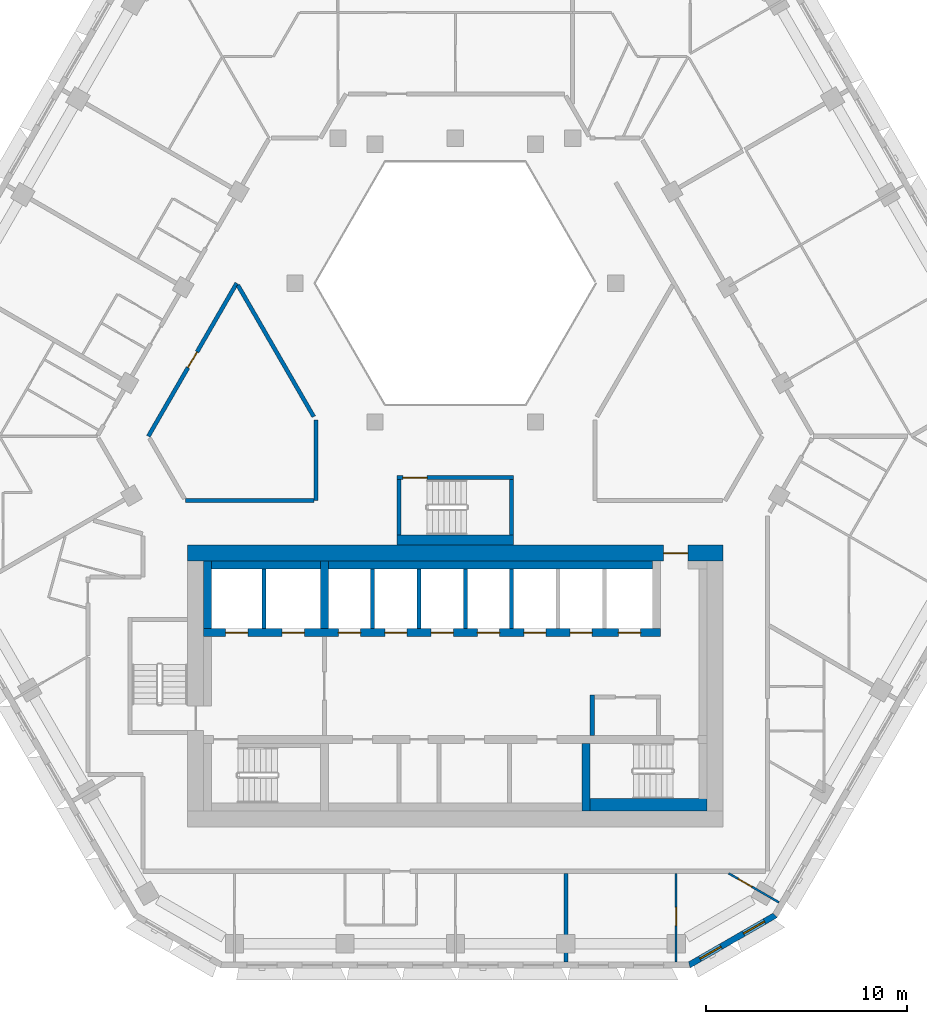
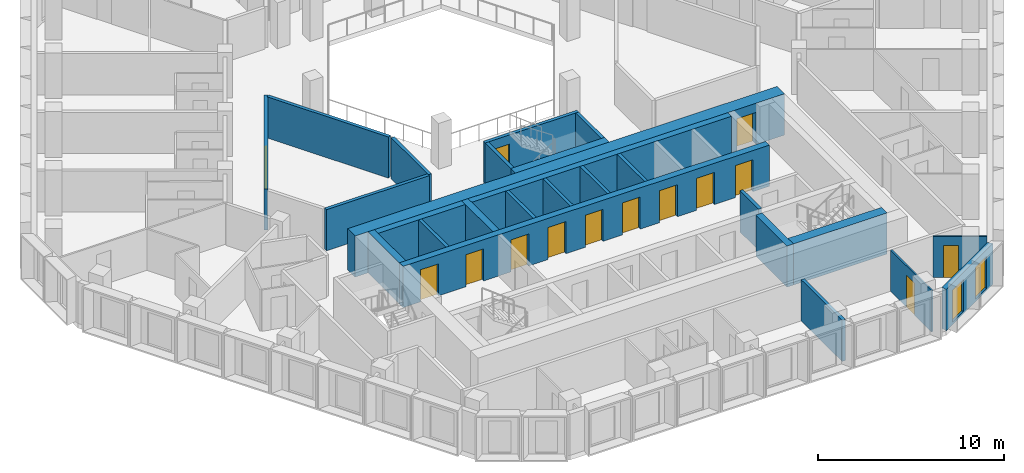
# One storey, part 5 of 17: 26 walls, 14 doors, 2 windows, 16 openings.
"""IFC4 building model written with IfcOpenShell, lengths in metres."""

from ifc_helpers import new_model, si_unit, direction, frame, frame_2d, origin, place, context, subcontext, project, spatial, polyline, rectangle, outline, extrude, material, layer, layer_set, type_object, element, fill, save


model = new_model("IFC4")

# Units and contexts
model_context = context("Model", 3, precision=1e-05, world=origin(), true_north=direction((0.0, 1.0)))
body_context = subcontext(model_context, "Body", "Model", "MODEL_VIEW")
ifc_project = project(units=[si_unit("LENGTHUNIT", "METRE"), si_unit("AREAUNIT", "SQUARE_METRE"), si_unit("VOLUMEUNIT", "CUBIC_METRE"), si_unit("PLANEANGLEUNIT", "RADIAN"), si_unit("MASSUNIT", "GRAM", prefix="KILO")], contexts=[model_context])

# Site, building, storey
site_placement = place(None, origin())
site = spatial("IfcSite", under=ifc_project, at=site_placement, CompositionType="ELEMENT")
building_placement = place(site_placement, origin())
building = spatial("IfcBuilding", under=site, at=building_placement, Name="Beryl Residences", CompositionType="ELEMENT")
storey_placement = place(building_placement, frame((0.0, 0.0, 132.60009765625)))
storey = spatial("IfcBuildingStorey", under=building, at=storey_placement, Name="L40", CompositionType="ELEMENT", Elevation=132.60009765625)

# Wall, openings, windows
ifc_material_1 = material(Name="Composite metal panel with mineral wool insulation")
ifc_layer_1 = layer(ifc_material_1, 0.300048828125)
ifc_layer_set_1 = layer_set([ifc_layer_1], Name="ES1 pale metal composite panel wall 300 mm")
wall_type_1 = type_object("IfcWallType", Name="ES1 pale metal composite panel wall 300 mm", PredefinedType="SOLIDWALL", material=ifc_layer_set_1)
wall_1_placement = place(storey_placement, frame((11.5869140625, -25.8701171875, 0.0), z_axis=(0.0, 0.0, 1.0), x_axis=(0.866022959057, 0.500004234368, 0.0)))
wall_1 = element("IfcWall", 1, at=wall_1_placement, inside=storey, type_object=wall_type_1, Name="ES1 external wall L40 S-SE", PredefinedType="SOLIDWALL", context=body_context, shape_type="SweptSolid", body=[
    extrude(outline(polyline([(0.0, -0.14990234375), (5.0, -0.14990234375), (4.919677734375, 0.14990234375), (0.080322265625, 0.14990234375), (0.0, -0.14990234375)])), origin(), (0.0, 0.0, 1.0), 2.699951171875),
])
opening_1_placement = place(wall_1_placement, frame((0.64990234375, 0.0, 0.14990234375)))
opening_1 = element("IfcOpeningElement", 2, at=opening_1_placement, cuts=wall_1, Name="Opening W2", PredefinedType="OPENING", context=body_context, shape_type="SweptSolid", body=[
    extrude(rectangle(XDim=1.199951171875, YDim=2.10009765625, at=frame_2d((0.60009765625, 1.050048828125))), frame((0.0, 0.159912109375, 0.0), z_axis=(0.0, -1.0, 0.0), x_axis=(1.0, 0.0, 0.0)), (0.0, 0.0, 1.0), 0.320068359375),
])
opening_2_placement = place(wall_1_placement, frame((3.14892578125, 0.0, 0.14990234375)))
opening_2 = element("IfcOpeningElement", 3, at=opening_2_placement, cuts=wall_1, Name="Opening W2", PredefinedType="OPENING", context=body_context, shape_type="SweptSolid", body=[
    extrude(rectangle(XDim=1.199951171875, YDim=2.10009765625, at=frame_2d((0.60009765625, 1.050048828125))), frame((0.0, 0.159912109375, 0.0), z_axis=(0.0, -1.0, 0.0), x_axis=(1.0, 0.0, 0.0)), (0.0, 0.0, 1.0), 0.320068359375),
])
ifc_material_2 = material(Name="Aluminium and clear glass", Category="aluminium")
window_type = type_object("IfcWindowType", Name="W2 chamfer window 1200 x 2100 mm", PartitioningType="SINGLE_PANEL", PredefinedType="WINDOW", material=ifc_material_2)
window_1_placement = place(opening_1_placement, origin())
window_1 = element("IfcWindow", 4, at=window_1_placement, inside=storey, type_object=window_type, Name="W2 window L40 S-SE 1", OverallHeight=2.10009765625, OverallWidth=1.199951171875, PartitioningType="SINGLE_PANEL", PredefinedType="WINDOW", context=body_context, shape_type="SweptSolid", body=[
    extrude(rectangle(XDim=1.199951171875, YDim=2.10009765625, at=frame_2d((0.60009765625, 1.050048828125))), frame((0.0, 0.030029296875, 0.0), z_axis=(0.0, -1.0, 0.0), x_axis=(1.0, 0.0, 0.0)), (0.0, 0.0, 1.0), 0.06005859375),
])
fill(opening_1, window_1)
window_2_placement = place(opening_2_placement, origin())
window_2 = element("IfcWindow", 5, at=window_2_placement, inside=storey, type_object=window_type, Name="W2 window L40 S-SE 2", OverallHeight=2.10009765625, OverallWidth=1.199951171875, PartitioningType="SINGLE_PANEL", PredefinedType="WINDOW", context=body_context, shape_type="SweptSolid", body=[
    extrude(rectangle(XDim=1.199951171875, YDim=2.10009765625, at=frame_2d((0.60009765625, 1.050048828125))), frame((0.0, 0.030029296875, 0.0), z_axis=(0.0, -1.0, 0.0), x_axis=(1.0, 0.0, 0.0)), (0.0, 0.0, 1.0), 0.06005859375),
])
fill(opening_2, window_2)

# Wall, opening, door
ifc_material_3 = material(Name="Gypsum board partition on steel studs", Category="steel")
ifc_layer_2 = layer(ifc_material_3, 0.10009765625)
ifc_layer_set_2 = layer_set([ifc_layer_2], Name="PT1 partition 100 mm gypsum board on steel studs")
wall_type_2 = type_object("IfcWallType", Name="PT1 partition 100 mm gypsum board on steel studs", PredefinedType="PARTITIONING", material=ifc_layer_set_2)
wall_2_placement = place(storey_placement, frame((13.568115234375, -21.300048828125, 0.0), z_axis=(0.0, 0.0, 1.0), x_axis=(0.865885342641, -0.500242514586, 0.0)))
wall_2 = element("IfcWall", 6, at=wall_2_placement, inside=storey, type_object=wall_type_2, Name="Wall PT1 L40 014", PredefinedType="PARTITIONING", context=body_context, shape_type="SweptSolid", body=[
    extrude(rectangle(XDim=2.8984375, YDim=0.10009765625, at=frame_2d((1.44921875, 0.0))), origin(), (0.0, 0.0, 1.0), 2.699951171875),
])
opening_3_placement = place(wall_2_placement, frame((0.550048828125, 0.0, 0.0)))
opening_3 = element("IfcOpeningElement", 7, at=opening_3_placement, cuts=wall_2, Name="Opening D1040", PredefinedType="OPENING", context=body_context, shape_type="SweptSolid", body=[
    extrude(rectangle(XDim=0.800048828125, YDim=2.10009765625, at=frame_2d((0.39990234375, 1.050048828125))), frame((0.0, 0.06005859375, 0.0), z_axis=(0.0, -1.0, 0.0), x_axis=(1.0, 0.0, 0.0)), (0.0, 0.0, 1.0), 0.1201171875),
])
ifc_material_4 = material(Name="Timber door leaf", Category="wood")
door_type_1 = type_object("IfcDoorType", Name="D13 room door 800 x 2100 mm", OperationType="SINGLE_SWING_LEFT", PredefinedType="DOOR", material=ifc_material_4)
door_1_placement = place(opening_3_placement, origin())
door_1 = element("IfcDoor", 8, at=door_1_placement, inside=storey, type_object=door_type_1, Name="Door D1040 L40 001", OperationType="SINGLE_SWING_RIGHT", OverallHeight=2.10009765625, OverallWidth=0.800048828125, PredefinedType="DOOR", context=body_context, shape_type="SweptSolid", body=[
    extrude(rectangle(XDim=0.800048828125, YDim=2.10009765625, at=frame_2d((0.39990234375, 1.050048828125))), frame((0.0, 0.02490234375, 0.0), z_axis=(0.0, -1.0, 0.0), x_axis=(1.0, 0.0, 0.0)), (0.0, 0.0, 1.0), 0.050048828125),
])
fill(opening_3, door_1)

wall_3_placement = place(storey_placement, frame((10.970947265625, -25.699951171875, 0.0), z_axis=(0.0, 0.0, 1.0), x_axis=(0.0, 1.0, 0.0)))
wall_3 = element("IfcWall", 9, at=wall_3_placement, inside=storey, type_object=wall_type_2, Name="Wall PT1 L40 040", PredefinedType="PARTITIONING", context=body_context, shape_type="SweptSolid", body=[
    extrude(rectangle(XDim=4.39990234375, YDim=0.10009765625, at=frame_2d((2.199951171875, 0.0))), origin(), (0.0, 0.0, 1.0), 2.699951171875),
])
opening_4_placement = place(wall_3_placement, frame((1.800048828125, 0.0, 0.0)))
opening_4 = element("IfcOpeningElement", 10, at=opening_4_placement, cuts=wall_3, Name="Opening D1041", PredefinedType="OPENING", context=body_context, shape_type="SweptSolid", body=[
    extrude(rectangle(XDim=0.89990234375, YDim=2.10009765625, at=frame_2d((0.449951171875, 1.050048828125))), frame((0.0, 0.06005859375, 0.0), z_axis=(0.0, -1.0, 0.0), x_axis=(1.0, 0.0, 0.0)), (0.0, 0.0, 1.0), 0.1201171875),
])
ifc_material_5 = material(Name="Timber door leaf", Category="wood")
door_type_2 = type_object("IfcDoorType", Name="D2 room door 900 x 2100 mm", OperationType="SINGLE_SWING_LEFT", PredefinedType="DOOR", material=ifc_material_5)
door_2_placement = place(opening_4_placement, origin())
door_2 = element("IfcDoor", 11, at=door_2_placement, inside=storey, type_object=door_type_2, Name="Door D1041 L40 001", OperationType="SINGLE_SWING_LEFT", OverallHeight=2.10009765625, OverallWidth=0.89990234375, PredefinedType="DOOR", context=body_context, shape_type="SweptSolid", body=[
    extrude(rectangle(XDim=0.89990234375, YDim=2.10009765625, at=frame_2d((0.449951171875, 1.050048828125))), frame((0.0, 0.02490234375, 0.0), z_axis=(0.0, -1.0, 0.0), x_axis=(1.0, 0.0, 0.0)), (0.0, 0.0, 1.0), 0.050048828125),
])
fill(opening_4, door_2)

# Walls
ifc_material_6 = material(Name="Concrete masonry", Category="masonry")
ifc_layer_3 = layer(ifc_material_6, 0.199951171875)
ifc_layer_set_3 = layer_set([ifc_layer_3], Name="PT13 lobby wall 200 mm")
wall_type_3 = type_object("IfcWallType", Name="PT13 lobby wall 200 mm", PredefinedType="PARTITIONING", material=ifc_layer_set_3)
wall_4_placement = place(storey_placement, frame((6.800048828125, -14.449951171875, 0.0), z_axis=(0.0, 0.0, 1.0), x_axis=(0.0, 1.0, 0.0)))
element("IfcWall", 12, at=wall_4_placement, inside=storey, type_object=wall_type_3, Name="Lobby wall 23", PredefinedType="PARTITIONING", context=body_context, shape_type="SweptSolid", body=[
    extrude(rectangle(XDim=2.0, YDim=0.199951171875, at=frame_2d((1.0, 0.0))), origin(), (0.0, 0.0, 1.0), 2.699951171875),
])
ifc_material_7 = material(Name="Acoustic double stud gypsum board wall")
ifc_layer_4 = layer(ifc_material_7, 0.199951171875)
ifc_layer_set_4 = layer_set([ifc_layer_4], Name="PT3 party wall 200 mm acoustic double stud")
wall_type_4 = type_object("IfcWallType", Name="PT3 party wall 200 mm acoustic double stud", PredefinedType="PARTITIONING", material=ifc_layer_set_4)
wall_5_placement = place(storey_placement, frame((5.486083984375, -25.699951171875, 0.0), z_axis=(0.0, 0.0, 1.0), x_axis=(0.0, 1.0, 0.0)))
element("IfcWall", 13, at=wall_5_placement, inside=storey, type_object=wall_type_4, Name="Wall PT3 L40 007", PredefinedType="PARTITIONING", context=body_context, shape_type="SweptSolid", body=[
    extrude(rectangle(XDim=4.39990234375, YDim=0.199951171875, at=frame_2d((2.199951171875, 0.0))), origin(), (0.0, 0.0, 1.0), 2.699951171875),
])
ifc_material_8 = material(Name="Double stud gypsum board wall")
ifc_layer_5 = layer(ifc_material_8, 0.199951171875)
ifc_layer_set_5 = layer_set([ifc_layer_5], Name="PT4 corridor wall 200 mm double stud")
wall_type_5 = type_object("IfcWallType", Name="PT4 corridor wall 200 mm double stud", PredefinedType="PARTITIONING", material=ifc_layer_set_5)
wall_6_placement = place(storey_placement, frame((-10.7958984375, 7.89990234375, 0.0), z_axis=(0.0, 0.0, 1.0), x_axis=(0.499954271211, -0.866051803703, 0.0)))
element("IfcWall", 14, at=wall_6_placement, inside=storey, type_object=wall_type_5, Name="Wall PT4 L40 001", PredefinedType="PARTITIONING", context=body_context, shape_type="SweptSolid", body=[
    extrude(rectangle(XDim=7.536376953125, YDim=0.199951171875, at=frame_2d((3.76806640625, 0.0))), origin(), (0.0, 0.0, 1.0), 2.699951171875),
])
wall_7_placement = place(storey_placement, frame((-13.39501953125, -2.800048828125, 0.0), z_axis=(0.0, 0.0, 1.0), x_axis=(1.0, 0.0, 0.0)))
element("IfcWall", 15, at=wall_7_placement, inside=storey, type_object=wall_type_5, Name="Wall PT4 L40 012", PredefinedType="PARTITIONING", context=body_context, shape_type="SweptSolid", body=[
    extrude(rectangle(XDim=6.366943359375, YDim=0.199951171875, at=frame_2d((3.18359375, 0.0))), origin(), (0.0, 0.0, 1.0), 2.699951171875),
])

# Wall, opening, door
wall_8_placement = place(storey_placement, frame((-15.241943359375, 0.39892578125, 0.0), z_axis=(0.0, 0.0, 1.0), x_axis=(0.499953615651, 0.866052182145, 0.0)))
wall_8 = element("IfcWall", 16, at=wall_8_placement, inside=storey, type_object=wall_type_5, Name="Wall PT4 L40 020", PredefinedType="PARTITIONING", context=body_context, shape_type="SweptSolid", body=[
    extrude(rectangle(XDim=8.776611328125, YDim=0.199951171875, at=frame_2d((4.38818359375, 0.0))), origin(), (0.0, 0.0, 1.0), 2.699951171875),
])
opening_5_placement = place(wall_8_placement, frame((3.93798828125, 0.0, 0.0)))
opening_5 = element("IfcOpeningElement", 17, at=opening_5_placement, cuts=wall_8, Name="Opening D1055", PredefinedType="OPENING", context=body_context, shape_type="SweptSolid", body=[
    extrude(rectangle(XDim=0.89990234375, YDim=2.10009765625, at=frame_2d((0.449951171875, 1.050048828125))), frame((0.0, 0.10986328125, 0.0), z_axis=(0.0, -1.0, 0.0), x_axis=(1.0, 0.0, 0.0)), (0.0, 0.0, 1.0), 0.219970703125),
])
door_3_placement = place(opening_5_placement, origin())
door_3 = element("IfcDoor", 18, at=door_3_placement, inside=storey, type_object=door_type_2, Name="Door D1055 L40 001", OperationType="SINGLE_SWING_LEFT", OverallHeight=2.10009765625, OverallWidth=0.89990234375, PredefinedType="DOOR", context=body_context, shape_type="SweptSolid", body=[
    extrude(rectangle(XDim=0.89990234375, YDim=2.10009765625, at=frame_2d((0.449951171875, 1.050048828125))), frame((0.0, 0.02490234375, 0.0), z_axis=(0.0, -1.0, 0.0), x_axis=(1.0, 0.0, 0.0)), (0.0, 0.0, 1.0), 0.050048828125),
])
fill(opening_5, door_3)

# Wall
wall_9_placement = place(storey_placement, frame((-6.927978515625, -2.800048828125, 0.0), z_axis=(0.0, 0.0, 1.0), x_axis=(0.0, 1.0, 0.0)))
element("IfcWall", 19, at=wall_9_placement, inside=storey, type_object=wall_type_5, Name="Wall PT4 L40 025", PredefinedType="PARTITIONING", context=body_context, shape_type="SweptSolid", body=[
    extrude(rectangle(XDim=4.0, YDim=0.199951171875, at=frame_2d((2.0, 0.0))), origin(), (0.0, 0.0, 1.0), 2.699951171875),
])

# Wall, opening, door
ifc_material_9 = material(Name="Concrete C40/50", Category="concrete")
ifc_layer_6 = layer(ifc_material_9, 0.199951171875)
ifc_layer_set_6 = layer_set([ifc_layer_6], Name="PT5 stair enclosure wall 200 mm reinforced concrete C40/50")
wall_type_6 = type_object("IfcWallType", Name="PT5 stair enclosure wall 200 mm reinforced concrete C40/50", PredefinedType="SOLIDWALL", material=ifc_layer_set_6)
wall_10_placement = place(storey_placement, frame((-2.89990234375, -1.64990234375, 0.0), z_axis=(0.0, 0.0, 1.0), x_axis=(1.0, 0.0, 0.0)))
wall_10 = element("IfcWall", 20, at=wall_10_placement, inside=storey, type_object=wall_type_6, Name="Wall PT5 L40 001", PredefinedType="SOLIDWALL", context=body_context, shape_type="SweptSolid", body=[
    extrude(rectangle(XDim=5.7998046875, YDim=0.199951171875, at=frame_2d((2.89990234375, 0.0))), origin(), (0.0, 0.0, 1.0), 2.699951171875),
])
opening_6_placement = place(wall_10_placement, frame((0.300048828125, 0.0, 0.0)))
opening_6 = element("IfcOpeningElement", 21, at=opening_6_placement, cuts=wall_10, Name="Opening DS04", PredefinedType="OPENING", context=body_context, shape_type="SweptSolid", body=[
    extrude(rectangle(XDim=1.199951171875, YDim=2.10009765625, at=frame_2d((0.60009765625, 1.050048828125))), frame((0.0, 0.10986328125, 0.0), z_axis=(0.0, -1.0, 0.0), x_axis=(1.0, 0.0, 0.0)), (0.0, 0.0, 1.0), 0.219970703125),
])
ifc_material_10 = material(Name="Steel door leaf in steel frame", Category="steel")
door_type_3 = type_object("IfcDoorType", Name="D4 stair door 1200 x 2100 mm", OperationType="SINGLE_SWING_LEFT", PredefinedType="DOOR", material=ifc_material_10)
door_4_placement = place(opening_6_placement, origin())
door_4 = element("IfcDoor", 22, at=door_4_placement, inside=storey, type_object=door_type_3, Name="Door DS04 L40 001", OperationType="SINGLE_SWING_LEFT", OverallHeight=2.10009765625, OverallWidth=1.199951171875, PredefinedType="DOOR", context=body_context, shape_type="SweptSolid", body=[
    extrude(rectangle(XDim=1.199951171875, YDim=2.10009765625, at=frame_2d((0.60009765625, 1.050048828125))), frame((0.0, 0.02490234375, 0.0), z_axis=(0.0, -1.0, 0.0), x_axis=(1.0, 0.0, 0.0)), (0.0, 0.0, 1.0), 0.050048828125),
])
fill(opening_6, door_4)

# Walls
for number, where, z_axis, x_axis, name in (
    (23, (-2.800048828125, -4.5, 0.0), (0.0, 0.0, 1.0), (0.0, 1.0, 0.0), "Wall PT5 L40 002"),
    (24, (2.800048828125, -4.5, 0.0), (0.0, 0.0, 1.0), (0.0, 1.0, 0.0), "Wall PT5 L40 003"),
):
    element("IfcWall", number, at=place(storey_placement, frame(where, z_axis=z_axis, x_axis=x_axis)), inside=storey, type_object=wall_type_6, Name=name, PredefinedType="SOLIDWALL", context=body_context, shape_type="SweptSolid", body=[
        extrude(rectangle(XDim=2.75, YDim=0.199951171875, at=frame_2d((1.375, 0.0))), origin(), (0.0, 0.0, 1.0), 2.699951171875),
    ])
ifc_material_11 = material(Name="Concrete C40/50", Category="concrete")
ifc_layer_7 = layer(ifc_material_11, 0.5)
ifc_layer_set_7 = layer_set([ifc_layer_7], Name="PT5-500 stair enclosure wall 500 mm")
wall_type_7 = type_object("IfcWallType", Name="PT5-500 stair enclosure wall 500 mm", PredefinedType="SOLIDWALL", material=ifc_layer_set_7)
wall_11_placement = place(storey_placement, frame((-2.89990234375, -4.75, 0.0), z_axis=(0.0, 0.0, 1.0), x_axis=(1.0, 0.0, 0.0)))
element("IfcWall", 25, at=wall_11_placement, inside=storey, type_object=wall_type_7, Name="Wall PT5-500 L40 001", PredefinedType="SOLIDWALL", context=body_context, shape_type="SweptSolid", body=[
    extrude(rectangle(XDim=5.7998046875, YDim=0.5, at=frame_2d((2.89990234375, 0.0))), origin(), (0.0, 0.0, 1.0), 2.699951171875),
])
ifc_material_12 = material(Name="Concrete C40/50", Category="concrete")
ifc_layer_8 = layer(ifc_material_12, 0.60009765625)
ifc_layer_set_8 = layer_set([ifc_layer_8], Name="PT5-600 stair enclosure wall 600 mm")
wall_type_8 = type_object("IfcWallType", Name="PT5-600 stair enclosure wall 600 mm", PredefinedType="SOLIDWALL", material=ifc_layer_set_8)
wall_12_placement = place(storey_placement, frame((6.699951171875, -17.89990234375, 0.0), z_axis=(0.0, 0.0, 1.0), x_axis=(1.0, 0.0, 0.0)))
element("IfcWall", 26, at=wall_12_placement, inside=storey, type_object=wall_type_8, Name="Stair wall 22", PredefinedType="SOLIDWALL", context=body_context, shape_type="SweptSolid", body=[
    extrude(rectangle(XDim=5.800048828125, YDim=0.60009765625, at=frame_2d((2.89990234375, 0.0))), origin(), (0.0, 0.0, 1.0), 2.699951171875),
])
ifc_material_13 = material(Name="Concrete C40/50", Category="concrete")
ifc_layer_9 = layer(ifc_material_13, 0.199951171875)
ifc_layer_set_9 = layer_set([ifc_layer_9], Name="PT6 lift shaft wall 200 mm reinforced concrete C40/50")
wall_type_9 = type_object("IfcWallType", Name="PT6 lift shaft wall 200 mm reinforced concrete C40/50", PredefinedType="SOLIDWALL", material=ifc_layer_set_9)
for number, where, z_axis, x_axis, name in (
    (27, (-9.5, -9.14990234375, 0.0), (0.0, 0.0, 1.0), (0.0, 1.0, 0.0), "Lift shaft wall 10"),
    (28, (-4.10009765625, -9.14990234375, 0.0), (0.0, 0.0, 1.0), (0.0, 1.0, 0.0), "Lift shaft wall 14"),
    (29, (-1.800048828125, -9.14990234375, 0.0), (0.0, 0.0, 1.0), (0.0, 1.0, 0.0), "Lift shaft wall 16"),
    (30, (0.5, -9.14990234375, 0.0), (0.0, 0.0, 1.0), (0.0, 1.0, 0.0), "Lift shaft wall 18"),
    (31, (2.800048828125, -9.14990234375, 0.0), (0.0, 0.0, 1.0), (0.0, 1.0, 0.0), "Lift shaft wall 20"),
):
    element("IfcWall", number, at=place(storey_placement, frame(where, z_axis=z_axis, x_axis=x_axis)), inside=storey, type_object=wall_type_9, Name=name, PredefinedType="SOLIDWALL", context=body_context, shape_type="SweptSolid", body=[
        extrude(rectangle(XDim=2.949951171875, YDim=0.199951171875, at=frame_2d((1.47509765625, 0.0))), origin(), (0.0, 0.0, 1.0), 2.699951171875),
    ])
ifc_material_14 = material(Name="Concrete C40/50", Category="concrete")
ifc_layer_10 = layer(ifc_material_14, 0.39990234375)
ifc_layer_set_10 = layer_set([ifc_layer_10], Name="PT6-400 lift shaft wall 400 mm")
wall_type_10 = type_object("IfcWallType", Name="PT6-400 lift shaft wall 400 mm", PredefinedType="SOLIDWALL", material=ifc_layer_set_10)
wall_13_placement = place(storey_placement, frame((-12.300048828125, -9.14990234375, 0.0), z_axis=(0.0, 0.0, 1.0), x_axis=(0.0, 1.0, 0.0)))
element("IfcWall", 32, at=wall_13_placement, inside=storey, type_object=wall_type_10, Name="Lift shaft wall 06", PredefinedType="SOLIDWALL", context=body_context, shape_type="SweptSolid", body=[
    extrude(rectangle(XDim=3.349853515625, YDim=0.39990234375, at=frame_2d((1.6748046875, 0.0))), origin(), (0.0, 0.0, 1.0), 2.699951171875),
])
wall_14_placement = place(storey_placement, frame((-12.10009765625, -6.0, 0.0), z_axis=(0.0, 0.0, 1.0), x_axis=(1.0, 0.0, 0.0)))
element("IfcWall", 33, at=wall_14_placement, inside=storey, type_object=wall_type_10, Name="Lift shaft wall 08", PredefinedType="SOLIDWALL", context=body_context, shape_type="SweptSolid", body=[
    extrude(rectangle(XDim=5.400146484375, YDim=0.39990234375, at=frame_2d((2.7001953125, 0.0))), origin(), (0.0, 0.0, 1.0), 2.699951171875),
])
wall_15_placement = place(storey_placement, frame((-6.300048828125, -6.0, 0.0), z_axis=(0.0, 0.0, 1.0), x_axis=(1.0, 0.0, 0.0)))
element("IfcWall", 34, at=wall_15_placement, inside=storey, type_object=wall_type_10, Name="Lift shaft wall 13", PredefinedType="SOLIDWALL", context=body_context, shape_type="SweptSolid", body=[
    extrude(rectangle(XDim=16.10009765625, YDim=0.39990234375, at=frame_2d((8.050048828125, 0.0))), origin(), (0.0, 0.0, 1.0), 2.699951171875),
])

# Wall, opening, door
ifc_material_15 = material(Name="Concrete C60/75", Category="concrete")
ifc_layer_11 = layer(ifc_material_15, 0.800048828125)
ifc_layer_set_11 = layer_set([ifc_layer_11], Name="SW3 core outer wall 800 mm C60/75")
wall_type_11 = type_object("IfcWallType", Name="SW3 core outer wall 800 mm C60/75", PredefinedType="SHEAR", material=ifc_layer_set_11)
wall_16_placement = place(storey_placement, frame((-13.300048828125, -5.39990234375, 0.0), z_axis=(0.0, 0.0, 1.0), x_axis=(1.0, 0.0, 0.0)))
wall_16 = element("IfcWall", 35, at=wall_16_placement, inside=storey, type_object=wall_type_11, Name="Core wall N L40", PredefinedType="SHEAR", context=body_context, shape_type="SweptSolid", body=[
    extrude(rectangle(XDim=26.60009765625, YDim=0.800048828125, at=frame_2d((13.300048828125, 0.0))), origin(), (0.0, 0.0, 1.0), 2.699951171875),
])
opening_7_placement = place(wall_16_placement, frame((23.64990234375, 0.0, 0.0)))
opening_7 = element("IfcOpeningElement", 36, at=opening_7_placement, cuts=wall_16, Name="Opening FD-NORTH", PredefinedType="OPENING", context=body_context, shape_type="SweptSolid", body=[
    extrude(rectangle(XDim=1.199951171875, YDim=2.10009765625, at=frame_2d((0.60009765625, 1.050048828125))), frame((0.0, 0.409912109375, 0.0), z_axis=(0.0, -1.0, 0.0), x_axis=(1.0, 0.0, 0.0)), (0.0, 0.0, 1.0), 0.820068359375),
])
ifc_material_16 = material(Name="Steel door leaf in steel frame", Category="steel")
door_type_4 = type_object("IfcDoorType", Name="D22 lobby door 1200 x 2100 mm", OperationType="DOUBLE_DOOR_SINGLE_SWING", PredefinedType="DOOR", material=ifc_material_16)
door_5_placement = place(opening_7_placement, origin())
door_5 = element("IfcDoor", 37, at=door_5_placement, inside=storey, type_object=door_type_4, Name="Door FD-NORTH L40 001", OperationType="DOUBLE_DOOR_SINGLE_SWING", OverallHeight=2.10009765625, OverallWidth=1.199951171875, PredefinedType="DOOR", context=body_context, shape_type="SweptSolid", body=[
    extrude(rectangle(XDim=1.199951171875, YDim=2.10009765625, at=frame_2d((0.60009765625, 1.050048828125))), frame((0.0, 0.02490234375, 0.0), z_axis=(0.0, -1.0, 0.0), x_axis=(1.0, 0.0, 0.0)), (0.0, 0.0, 1.0), 0.050048828125),
])
fill(opening_7, door_5)

# Wall, openings, doors
ifc_material_17 = material(Name="Concrete C60/75", Category="concrete")
ifc_layer_12 = layer(ifc_material_17, 0.39990234375)
ifc_layer_set_12 = layer_set([ifc_layer_12], Name="SW8 core internal wall 400 mm C60/75")
wall_type_12 = type_object("IfcWallType", Name="SW8 core internal wall 400 mm C60/75", PredefinedType="SHEAR", material=ifc_layer_set_12)
wall_17_placement = place(storey_placement, frame((-12.5, -9.35009765625, 0.0), z_axis=(0.0, 0.0, 1.0), x_axis=(1.0, 0.0, 0.0)))
wall_17 = element("IfcWall", 38, at=wall_17_placement, inside=storey, type_object=wall_type_12, Name="Core wall SP2 L40", PredefinedType="SHEAR", context=body_context, shape_type="SweptSolid", body=[
    extrude(rectangle(XDim=22.699951171875, YDim=0.39990234375, at=frame_2d((11.35009765625, 0.0))), origin(), (0.0, 0.0, 1.0), 2.699951171875),
])
opening_8_placement = place(wall_17_placement, frame((1.10009765625, 0.0, 0.0)))
opening_8 = element("IfcOpeningElement", 39, at=opening_8_placement, cuts=wall_17, Name="Opening LD-FF1", PredefinedType="OPENING", context=body_context, shape_type="SweptSolid", body=[
    extrude(rectangle(XDim=1.10009765625, YDim=2.10009765625, at=frame_2d((0.550048828125, 1.050048828125))), frame((0.0, 0.2099609375, 0.0), z_axis=(0.0, -1.0, 0.0), x_axis=(1.0, 0.0, 0.0)), (0.0, 0.0, 1.0), 0.419921875),
])
opening_9_placement = place(wall_17_placement, frame((3.89990234375, 0.0, 0.0)))
opening_9 = element("IfcOpeningElement", 40, at=opening_9_placement, cuts=wall_17, Name="Opening LD-FF2", PredefinedType="OPENING", context=body_context, shape_type="SweptSolid", body=[
    extrude(rectangle(XDim=1.10009765625, YDim=2.10009765625, at=frame_2d((0.550048828125, 1.050048828125))), frame((0.0, 0.2099609375, 0.0), z_axis=(0.0, -1.0, 0.0), x_axis=(1.0, 0.0, 0.0)), (0.0, 0.0, 1.0), 0.419921875),
])
opening_10_placement = place(wall_17_placement, frame((6.699951171875, 0.0, 0.0)))
opening_10 = element("IfcOpeningElement", 41, at=opening_10_placement, cuts=wall_17, Name="Opening LD-HR1", PredefinedType="OPENING", context=body_context, shape_type="SweptSolid", body=[
    extrude(rectangle(XDim=1.10009765625, YDim=2.10009765625, at=frame_2d((0.550048828125, 1.050048828125))), frame((0.0, 0.2099609375, 0.0), z_axis=(0.0, -1.0, 0.0), x_axis=(1.0, 0.0, 0.0)), (0.0, 0.0, 1.0), 0.419921875),
])
opening_11_placement = place(wall_17_placement, frame((9.0, 0.0, 0.0)))
opening_11 = element("IfcOpeningElement", 42, at=opening_11_placement, cuts=wall_17, Name="Opening LD-HR2", PredefinedType="OPENING", context=body_context, shape_type="SweptSolid", body=[
    extrude(rectangle(XDim=1.10009765625, YDim=2.10009765625, at=frame_2d((0.550048828125, 1.050048828125))), frame((0.0, 0.2099609375, 0.0), z_axis=(0.0, -1.0, 0.0), x_axis=(1.0, 0.0, 0.0)), (0.0, 0.0, 1.0), 0.419921875),
])
opening_12_placement = place(wall_17_placement, frame((11.300048828125, 0.0, 0.0)))
opening_12 = element("IfcOpeningElement", 43, at=opening_12_placement, cuts=wall_17, Name="Opening LD-HR3", PredefinedType="OPENING", context=body_context, shape_type="SweptSolid", body=[
    extrude(rectangle(XDim=1.10009765625, YDim=2.10009765625, at=frame_2d((0.550048828125, 1.050048828125))), frame((0.0, 0.2099609375, 0.0), z_axis=(0.0, -1.0, 0.0), x_axis=(1.0, 0.0, 0.0)), (0.0, 0.0, 1.0), 0.419921875),
])
opening_13_placement = place(wall_17_placement, frame((13.60009765625, 0.0, 0.0)))
opening_13 = element("IfcOpeningElement", 44, at=opening_13_placement, cuts=wall_17, Name="Opening LD-HR4", PredefinedType="OPENING", context=body_context, shape_type="SweptSolid", body=[
    extrude(rectangle(XDim=1.10009765625, YDim=2.10009765625, at=frame_2d((0.550048828125, 1.050048828125))), frame((0.0, 0.2099609375, 0.0), z_axis=(0.0, -1.0, 0.0), x_axis=(1.0, 0.0, 0.0)), (0.0, 0.0, 1.0), 0.419921875),
])
opening_14_placement = place(wall_17_placement, frame((15.89990234375, 0.0, 0.0)))
opening_14 = element("IfcOpeningElement", 45, at=opening_14_placement, cuts=wall_17, Name="Opening LD-HR5", PredefinedType="OPENING", context=body_context, shape_type="SweptSolid", body=[
    extrude(rectangle(XDim=1.10009765625, YDim=2.10009765625, at=frame_2d((0.550048828125, 1.050048828125))), frame((0.0, 0.2099609375, 0.0), z_axis=(0.0, -1.0, 0.0), x_axis=(1.0, 0.0, 0.0)), (0.0, 0.0, 1.0), 0.419921875),
])
opening_15_placement = place(wall_17_placement, frame((18.199951171875, 0.0, 0.0)))
opening_15 = element("IfcOpeningElement", 46, at=opening_15_placement, cuts=wall_17, Name="Opening LD-HR6", PredefinedType="OPENING", context=body_context, shape_type="SweptSolid", body=[
    extrude(rectangle(XDim=1.10009765625, YDim=2.10009765625, at=frame_2d((0.550048828125, 1.050048828125))), frame((0.0, 0.2099609375, 0.0), z_axis=(0.0, -1.0, 0.0), x_axis=(1.0, 0.0, 0.0)), (0.0, 0.0, 1.0), 0.419921875),
])
opening_16_placement = place(wall_17_placement, frame((20.60009765625, 0.0, 0.0)))
opening_16 = element("IfcOpeningElement", 47, at=opening_16_placement, cuts=wall_17, Name="Opening LD-SL1", PredefinedType="OPENING", context=body_context, shape_type="SweptSolid", body=[
    extrude(rectangle(XDim=1.10009765625, YDim=2.10009765625, at=frame_2d((0.550048828125, 1.050048828125))), frame((0.0, 0.2099609375, 0.0), z_axis=(0.0, -1.0, 0.0), x_axis=(1.0, 0.0, 0.0)), (0.0, 0.0, 1.0), 0.419921875),
])
ifc_material_18 = material(Name="Stainless steel sliding door", Category="steel")
door_type_5 = type_object("IfcDoorType", Name="LD1 lift landing door 1100 x 2100 mm", OperationType="DOUBLE_DOOR_SLIDING", PredefinedType="DOOR", material=ifc_material_18)
door_6_placement = place(opening_8_placement, origin())
door_6 = element("IfcDoor", 48, at=door_6_placement, inside=storey, type_object=door_type_5, Name="Lift landing door FF1", OperationType="DOUBLE_DOOR_SLIDING", OverallHeight=2.10009765625, OverallWidth=1.10009765625, PredefinedType="DOOR", context=body_context, shape_type="SweptSolid", body=[
    extrude(rectangle(XDim=1.10009765625, YDim=2.10009765625, at=frame_2d((0.550048828125, 1.050048828125))), frame((0.0, 0.02490234375, 0.0), z_axis=(0.0, -1.0, 0.0), x_axis=(1.0, 0.0, 0.0)), (0.0, 0.0, 1.0), 0.050048828125),
])
fill(opening_8, door_6)
door_7_placement = place(opening_9_placement, origin())
door_7 = element("IfcDoor", 49, at=door_7_placement, inside=storey, type_object=door_type_5, Name="Lift landing door FF2", OperationType="DOUBLE_DOOR_SLIDING", OverallHeight=2.10009765625, OverallWidth=1.10009765625, PredefinedType="DOOR", context=body_context, shape_type="SweptSolid", body=[
    extrude(rectangle(XDim=1.10009765625, YDim=2.10009765625, at=frame_2d((0.550048828125, 1.050048828125))), frame((0.0, 0.02490234375, 0.0), z_axis=(0.0, -1.0, 0.0), x_axis=(1.0, 0.0, 0.0)), (0.0, 0.0, 1.0), 0.050048828125),
])
fill(opening_9, door_7)
door_8_placement = place(opening_10_placement, origin())
door_8 = element("IfcDoor", 50, at=door_8_placement, inside=storey, type_object=door_type_5, Name="Lift landing door HR1", OperationType="DOUBLE_DOOR_SLIDING", OverallHeight=2.10009765625, OverallWidth=1.10009765625, PredefinedType="DOOR", context=body_context, shape_type="SweptSolid", body=[
    extrude(rectangle(XDim=1.10009765625, YDim=2.10009765625, at=frame_2d((0.550048828125, 1.050048828125))), frame((0.0, 0.02490234375, 0.0), z_axis=(0.0, -1.0, 0.0), x_axis=(1.0, 0.0, 0.0)), (0.0, 0.0, 1.0), 0.050048828125),
])
fill(opening_10, door_8)
door_9_placement = place(opening_11_placement, origin())
door_9 = element("IfcDoor", 51, at=door_9_placement, inside=storey, type_object=door_type_5, Name="Lift landing door HR2", OperationType="DOUBLE_DOOR_SLIDING", OverallHeight=2.10009765625, OverallWidth=1.10009765625, PredefinedType="DOOR", context=body_context, shape_type="SweptSolid", body=[
    extrude(rectangle(XDim=1.10009765625, YDim=2.10009765625, at=frame_2d((0.550048828125, 1.050048828125))), frame((0.0, 0.02490234375, 0.0), z_axis=(0.0, -1.0, 0.0), x_axis=(1.0, 0.0, 0.0)), (0.0, 0.0, 1.0), 0.050048828125),
])
fill(opening_11, door_9)
door_10_placement = place(opening_12_placement, origin())
door_10 = element("IfcDoor", 52, at=door_10_placement, inside=storey, type_object=door_type_5, Name="Lift landing door HR3", OperationType="DOUBLE_DOOR_SLIDING", OverallHeight=2.10009765625, OverallWidth=1.10009765625, PredefinedType="DOOR", context=body_context, shape_type="SweptSolid", body=[
    extrude(rectangle(XDim=1.10009765625, YDim=2.10009765625, at=frame_2d((0.550048828125, 1.050048828125))), frame((0.0, 0.02490234375, 0.0), z_axis=(0.0, -1.0, 0.0), x_axis=(1.0, 0.0, 0.0)), (0.0, 0.0, 1.0), 0.050048828125),
])
fill(opening_12, door_10)
door_11_placement = place(opening_13_placement, origin())
door_11 = element("IfcDoor", 53, at=door_11_placement, inside=storey, type_object=door_type_5, Name="Lift landing door HR4", OperationType="DOUBLE_DOOR_SLIDING", OverallHeight=2.10009765625, OverallWidth=1.10009765625, PredefinedType="DOOR", context=body_context, shape_type="SweptSolid", body=[
    extrude(rectangle(XDim=1.10009765625, YDim=2.10009765625, at=frame_2d((0.550048828125, 1.050048828125))), frame((0.0, 0.02490234375, 0.0), z_axis=(0.0, -1.0, 0.0), x_axis=(1.0, 0.0, 0.0)), (0.0, 0.0, 1.0), 0.050048828125),
])
fill(opening_13, door_11)
door_12_placement = place(opening_14_placement, origin())
door_12 = element("IfcDoor", 54, at=door_12_placement, inside=storey, type_object=door_type_5, Name="Lift landing door HR5", OperationType="DOUBLE_DOOR_SLIDING", OverallHeight=2.10009765625, OverallWidth=1.10009765625, PredefinedType="DOOR", context=body_context, shape_type="SweptSolid", body=[
    extrude(rectangle(XDim=1.10009765625, YDim=2.10009765625, at=frame_2d((0.550048828125, 1.050048828125))), frame((0.0, 0.02490234375, 0.0), z_axis=(0.0, -1.0, 0.0), x_axis=(1.0, 0.0, 0.0)), (0.0, 0.0, 1.0), 0.050048828125),
])
fill(opening_14, door_12)
door_13_placement = place(opening_15_placement, origin())
door_13 = element("IfcDoor", 55, at=door_13_placement, inside=storey, type_object=door_type_5, Name="Lift landing door HR6", OperationType="DOUBLE_DOOR_SLIDING", OverallHeight=2.10009765625, OverallWidth=1.10009765625, PredefinedType="DOOR", context=body_context, shape_type="SweptSolid", body=[
    extrude(rectangle(XDim=1.10009765625, YDim=2.10009765625, at=frame_2d((0.550048828125, 1.050048828125))), frame((0.0, 0.02490234375, 0.0), z_axis=(0.0, -1.0, 0.0), x_axis=(1.0, 0.0, 0.0)), (0.0, 0.0, 1.0), 0.050048828125),
])
fill(opening_15, door_13)
door_14_placement = place(opening_16_placement, origin())
door_14 = element("IfcDoor", 56, at=door_14_placement, inside=storey, type_object=door_type_5, Name="Lift landing door SL1", OperationType="DOUBLE_DOOR_SLIDING", OverallHeight=2.10009765625, OverallWidth=1.10009765625, PredefinedType="DOOR", context=body_context, shape_type="SweptSolid", body=[
    extrude(rectangle(XDim=1.10009765625, YDim=2.10009765625, at=frame_2d((0.550048828125, 1.050048828125))), frame((0.0, 0.02490234375, 0.0), z_axis=(0.0, -1.0, 0.0), x_axis=(1.0, 0.0, 0.0)), (0.0, 0.0, 1.0), 0.050048828125),
])
fill(opening_16, door_14)

# Walls
for number, where, z_axis, x_axis, name in (
    (57, (6.5, -18.199951171875, 0.0), (0.0, 0.0, 1.0), (0.0, 1.0, 0.0), "Core wall XS2 L40"),
    (58, (-6.5, -9.14990234375, 0.0), (0.0, 0.0, 1.0), (0.0, 1.0, 0.0), "Core wall XN1 L40"),
):
    element("IfcWall", number, at=place(storey_placement, frame(where, z_axis=z_axis, x_axis=x_axis)), inside=storey, type_object=wall_type_12, Name=name, PredefinedType="SHEAR", context=body_context, shape_type="SweptSolid", body=[
        extrude(rectangle(XDim=3.349853515625, YDim=0.39990234375, at=frame_2d((1.6748046875, 0.0))), origin(), (0.0, 0.0, 1.0), 2.699951171875),
    ])

save(model, "model.ifc")
